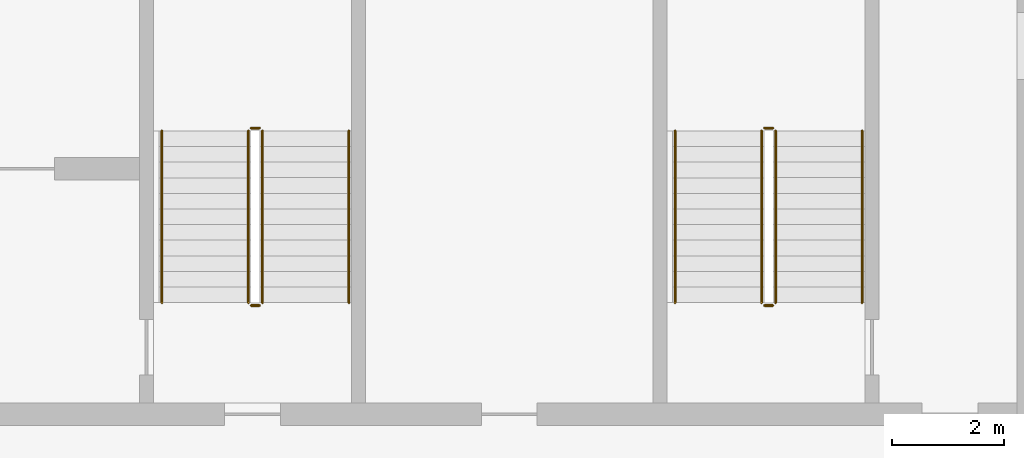
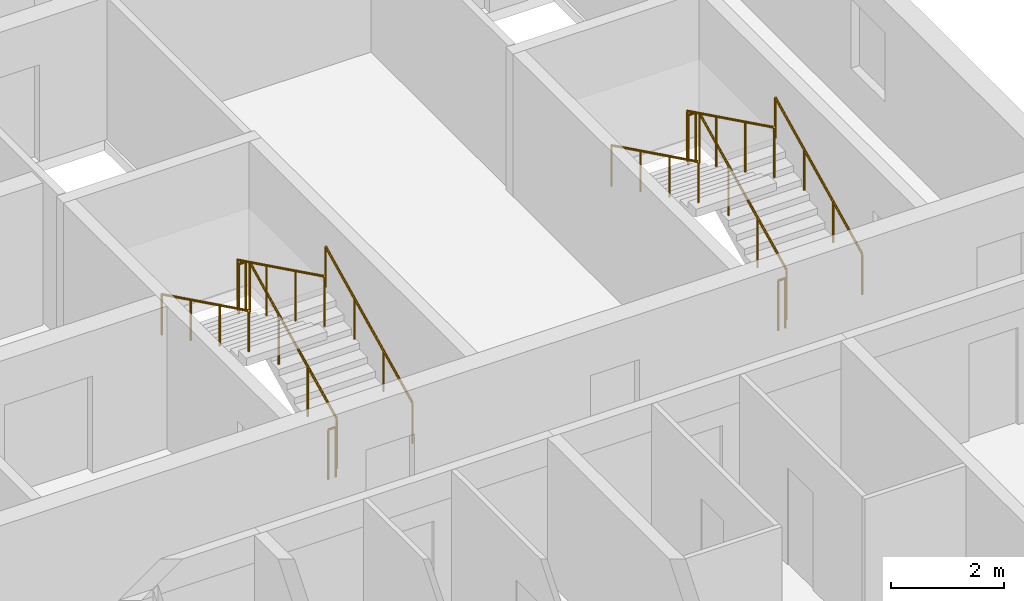
# One storey, part 14 of 26: 12 railings.
"""IFC4 building model written with IfcOpenShell, lengths in metres."""

from ifc_helpers import new_model, si_unit, direction, frame, origin, origin_2d, place, context, subcontext, project, spatial, circle, extrude, material, type_object, element, save


model = new_model("IFC4")

# Units and contexts
model_context = context("Model", 3, precision=1e-05, world=origin(), true_north=direction((0.0, 1.0)))
body_context = subcontext(model_context, "Body", "Model", "MODEL_VIEW")
ifc_project = project(units=[si_unit("LENGTHUNIT", "METRE"), si_unit("AREAUNIT", "SQUARE_METRE"), si_unit("VOLUMEUNIT", "CUBIC_METRE"), si_unit("PLANEANGLEUNIT", "RADIAN"), si_unit("MASSUNIT", "GRAM", prefix="KILO")], contexts=[model_context])

# Site, building, storey
site_placement = place(None, origin())
site = spatial("IfcSite", under=ifc_project, at=site_placement, CompositionType="ELEMENT")
building_placement = place(site_placement, origin())
building = spatial("IfcBuilding", under=site, at=building_placement, Name="Poui Terraces", CompositionType="ELEMENT")
storey_placement = place(building_placement, frame((0.0, 0.0, 178.5)))
storey = spatial("IfcBuildingStorey", under=building, at=storey_placement, Name="L49", CompositionType="ELEMENT", Elevation=178.5)

# Railings
ifc_material_1 = material(Name="Galvanised steel balustrade", Category="steel")
railing_type_1 = type_object("IfcRailingType", Name="STAIR GUARD 1100", PredefinedType="GUARDRAIL", material=ifc_material_1)
railing_1_placement = place(storey_placement, frame((70.27490234375, 16.60009765625, 0.137451171875)))
element("IfcRailing", 1, at=railing_1_placement, inside=storey, type_object=railing_type_1, Name="L49 ST-CE stair guard 1", PredefinedType="GUARDRAIL", context=body_context, shape_type="SweptSolid", body=[
    extrude(circle(Radius=0.02392578125, at=origin_2d()), frame((0.0, 0.0, 1.076171875), z_axis=(0.0, 0.897606190399, 0.440798283751), x_axis=(-1.0, 0.0, 0.0)), (0.0, 0.0, 1.0), 3.43115234375),
    extrude(circle(Radius=0.02099609375, at=origin_2d()), origin(), (0.0, 0.0, 1.0), 1.052001953125),
    extrude(circle(Radius=0.02099609375, at=origin_2d()), frame((0.0, 1.026611328125, 0.504150390625)), (0.0, 0.0, 1.0), 1.052001953125),
    extrude(circle(Radius=0.02099609375, at=origin_2d()), frame((0.0, 2.05322265625, 1.00830078125)), (0.0, 0.0, 1.0), 1.052001953125),
    extrude(circle(Radius=0.02099609375, at=origin_2d()), frame((0.0, 3.079833984375, 1.512451171875)), (0.0, 0.0, 1.0), 1.052001953125),
])
railing_2_placement = place(storey_placement, frame((70.22509765625, 19.72998046875, 1.64990234375)))
element("IfcRailing", 2, at=railing_2_placement, inside=storey, type_object=railing_type_1, Name="L49 ST-CE stair guard 2", PredefinedType="GUARDRAIL", context=body_context, shape_type="SweptSolid", body=[
    extrude(circle(Radius=0.02392578125, at=origin_2d()), frame((0.0, 0.0, 1.076171875), z_axis=(-1.0, 0.0, 0.0), x_axis=(0.0, -1.0, 0.0)), (0.0, 0.0, 1.0), 0.150146484375),
    extrude(circle(Radius=0.02099609375, at=origin_2d()), origin(), (0.0, 0.0, 1.0), 1.052001953125),
    extrude(circle(Radius=0.02099609375, at=origin_2d()), frame((-0.150146484375, 0.0, 0.0)), (0.0, 0.0, 1.0), 1.052001953125),
])
railing_3_placement = place(storey_placement, frame((70.02490234375, 19.679931640625, 1.78759765625)))
element("IfcRailing", 3, at=railing_3_placement, inside=storey, type_object=railing_type_1, Name="L49 ST-CE stair guard 3", PredefinedType="GUARDRAIL", context=body_context, shape_type="SweptSolid", body=[
    extrude(circle(Radius=0.02392578125, at=origin_2d()), frame((0.0, 0.0, 1.076171875), z_axis=(0.0, -0.897606190399, 0.440798283751), x_axis=(1.0, 0.0, 0.0)), (0.0, 0.0, 1.0), 3.43115234375),
    extrude(circle(Radius=0.02099609375, at=origin_2d()), origin(), (0.0, 0.0, 1.0), 1.052001953125),
    extrude(circle(Radius=0.02099609375, at=origin_2d()), frame((0.0, -1.026611328125, 0.504150390625)), (0.0, 0.0, 1.0), 1.052001953125),
    extrude(circle(Radius=0.02099609375, at=origin_2d()), frame((0.0, -2.05322265625, 1.00830078125)), (0.0, 0.0, 1.0), 1.052001953125),
    extrude(circle(Radius=0.02099609375, at=origin_2d()), frame((0.0, -3.079833984375, 1.512451171875)), (0.0, 0.0, 1.0), 1.052001953125),
])
railing_4_placement = place(storey_placement, frame((70.22509765625, 16.550048828125, 0.0)))
element("IfcRailing", 4, at=railing_4_placement, inside=storey, type_object=railing_type_1, Name="L49 ST-CE stair guard 4", PredefinedType="GUARDRAIL", context=body_context, shape_type="SweptSolid", body=[
    extrude(circle(Radius=0.02392578125, at=origin_2d()), frame((0.0, 0.0, 1.076171875), z_axis=(-1.0, 0.0, 0.0), x_axis=(0.0, -1.0, 0.0)), (0.0, 0.0, 1.0), 0.150146484375),
    extrude(circle(Radius=0.02099609375, at=origin_2d()), origin(), (0.0, 0.0, 1.0), 1.052001953125),
    extrude(circle(Radius=0.02099609375, at=origin_2d()), frame((-0.150146484375, 0.0, 0.0)), (0.0, 0.0, 1.0), 1.052001953125),
])
railing_5_placement = place(storey_placement, frame((79.47509765625, 16.60009765625, 0.137451171875)))
element("IfcRailing", 5, at=railing_5_placement, inside=storey, type_object=railing_type_1, Name="L49 ST-E stair guard 1", PredefinedType="GUARDRAIL", context=body_context, shape_type="SweptSolid", body=[
    extrude(circle(Radius=0.02392578125, at=origin_2d()), frame((0.0, 0.0, 1.076171875), z_axis=(0.0, 0.897606190399, 0.440798283751), x_axis=(-1.0, 0.0, 0.0)), (0.0, 0.0, 1.0), 3.43115234375),
    extrude(circle(Radius=0.02099609375, at=origin_2d()), origin(), (0.0, 0.0, 1.0), 1.052001953125),
    extrude(circle(Radius=0.02099609375, at=origin_2d()), frame((0.0, 1.026611328125, 0.504150390625)), (0.0, 0.0, 1.0), 1.052001953125),
    extrude(circle(Radius=0.02099609375, at=origin_2d()), frame((0.0, 2.05322265625, 1.00830078125)), (0.0, 0.0, 1.0), 1.052001953125),
    extrude(circle(Radius=0.02099609375, at=origin_2d()), frame((0.0, 3.079833984375, 1.512451171875)), (0.0, 0.0, 1.0), 1.052001953125),
])
railing_6_placement = place(storey_placement, frame((79.425048828125, 19.72998046875, 1.64990234375)))
element("IfcRailing", 6, at=railing_6_placement, inside=storey, type_object=railing_type_1, Name="L49 ST-E stair guard 2", PredefinedType="GUARDRAIL", context=body_context, shape_type="SweptSolid", body=[
    extrude(circle(Radius=0.02392578125, at=origin_2d()), frame((0.0, 0.0, 1.076171875), z_axis=(-1.0, 0.0, 0.0), x_axis=(0.0, -1.0, 0.0)), (0.0, 0.0, 1.0), 0.150146484375),
    extrude(circle(Radius=0.02099609375, at=origin_2d()), origin(), (0.0, 0.0, 1.0), 1.052001953125),
    extrude(circle(Radius=0.02099609375, at=origin_2d()), frame((-0.150146484375, 0.0, 0.0)), (0.0, 0.0, 1.0), 1.052001953125),
])
railing_7_placement = place(storey_placement, frame((79.22509765625, 19.679931640625, 1.78759765625)))
element("IfcRailing", 7, at=railing_7_placement, inside=storey, type_object=railing_type_1, Name="L49 ST-E stair guard 3", PredefinedType="GUARDRAIL", context=body_context, shape_type="SweptSolid", body=[
    extrude(circle(Radius=0.02392578125, at=origin_2d()), frame((0.0, 0.0, 1.076171875), z_axis=(0.0, -0.897606190399, 0.440798283751), x_axis=(1.0, 0.0, 0.0)), (0.0, 0.0, 1.0), 3.43115234375),
    extrude(circle(Radius=0.02099609375, at=origin_2d()), origin(), (0.0, 0.0, 1.0), 1.052001953125),
    extrude(circle(Radius=0.02099609375, at=origin_2d()), frame((0.0, -1.026611328125, 0.504150390625)), (0.0, 0.0, 1.0), 1.052001953125),
    extrude(circle(Radius=0.02099609375, at=origin_2d()), frame((0.0, -2.05322265625, 1.00830078125)), (0.0, 0.0, 1.0), 1.052001953125),
    extrude(circle(Radius=0.02099609375, at=origin_2d()), frame((0.0, -3.079833984375, 1.512451171875)), (0.0, 0.0, 1.0), 1.052001953125),
])
railing_8_placement = place(storey_placement, frame((79.425048828125, 16.550048828125, 0.0)))
element("IfcRailing", 8, at=railing_8_placement, inside=storey, type_object=railing_type_1, Name="L49 ST-E stair guard 4", PredefinedType="GUARDRAIL", context=body_context, shape_type="SweptSolid", body=[
    extrude(circle(Radius=0.02392578125, at=origin_2d()), frame((0.0, 0.0, 1.076171875), z_axis=(-1.0, 0.0, 0.0), x_axis=(0.0, -1.0, 0.0)), (0.0, 0.0, 1.0), 0.150146484375),
    extrude(circle(Radius=0.02099609375, at=origin_2d()), origin(), (0.0, 0.0, 1.0), 1.052001953125),
    extrude(circle(Radius=0.02099609375, at=origin_2d()), frame((-0.150146484375, 0.0, 0.0)), (0.0, 0.0, 1.0), 1.052001953125),
])
ifc_material_2 = material(Name="Stainless steel handrail", Category="steel")
railing_type_2 = type_object("IfcRailingType", Name="STAIR HANDRAIL 900", PredefinedType="HANDRAIL", material=ifc_material_2)
railing_9_placement = place(storey_placement, frame((71.824951171875, 16.60009765625, 0.137451171875)))
element("IfcRailing", 9, at=railing_9_placement, inside=storey, type_object=railing_type_2, Name="L49 ST-CE stair handrail 1", PredefinedType="HANDRAIL", context=body_context, shape_type="SweptSolid", body=[
    extrude(circle(Radius=0.02392578125, at=origin_2d()), frame((0.0, 0.0, 0.8759765625), z_axis=(0.0, 0.897606190399, 0.440798283751), x_axis=(-1.0, 0.0, 0.0)), (0.0, 0.0, 1.0), 3.43115234375),
    extrude(circle(Radius=0.02099609375, at=origin_2d()), origin(), (0.0, 0.0, 1.0), 0.851806640625),
    extrude(circle(Radius=0.02099609375, at=origin_2d()), frame((0.0, 1.026611328125, 0.504150390625)), (0.0, 0.0, 1.0), 0.851806640625),
    extrude(circle(Radius=0.02099609375, at=origin_2d()), frame((0.0, 2.05322265625, 1.00830078125)), (0.0, 0.0, 1.0), 0.851806640625),
    extrude(circle(Radius=0.02099609375, at=origin_2d()), frame((0.0, 3.079833984375, 1.512451171875)), (0.0, 0.0, 1.0), 0.851806640625),
])
railing_10_placement = place(storey_placement, frame((68.47509765625, 19.679931640625, 1.78759765625)))
element("IfcRailing", 10, at=railing_10_placement, inside=storey, type_object=railing_type_2, Name="L49 ST-CE stair handrail 2", PredefinedType="HANDRAIL", context=body_context, shape_type="SweptSolid", body=[
    extrude(circle(Radius=0.02392578125, at=origin_2d()), frame((0.0, 0.0, 0.8759765625), z_axis=(0.0, -0.897606190399, 0.440798283751), x_axis=(1.0, 0.0, 0.0)), (0.0, 0.0, 1.0), 3.43115234375),
    extrude(circle(Radius=0.02099609375, at=origin_2d()), origin(), (0.0, 0.0, 1.0), 0.851806640625),
    extrude(circle(Radius=0.02099609375, at=origin_2d()), frame((0.0, -1.026611328125, 0.504150390625)), (0.0, 0.0, 1.0), 0.851806640625),
    extrude(circle(Radius=0.02099609375, at=origin_2d()), frame((0.0, -2.05322265625, 1.00830078125)), (0.0, 0.0, 1.0), 0.851806640625),
    extrude(circle(Radius=0.02099609375, at=origin_2d()), frame((0.0, -3.079833984375, 1.512451171875)), (0.0, 0.0, 1.0), 0.851806640625),
])
railing_11_placement = place(storey_placement, frame((81.02490234375, 16.60009765625, 0.137451171875)))
element("IfcRailing", 11, at=railing_11_placement, inside=storey, type_object=railing_type_2, Name="L49 ST-E stair handrail 1", PredefinedType="HANDRAIL", context=body_context, shape_type="SweptSolid", body=[
    extrude(circle(Radius=0.02392578125, at=origin_2d()), frame((0.0, 0.0, 0.8759765625), z_axis=(0.0, 0.897606190399, 0.440798283751), x_axis=(-1.0, 0.0, 0.0)), (0.0, 0.0, 1.0), 3.43115234375),
    extrude(circle(Radius=0.02099609375, at=origin_2d()), origin(), (0.0, 0.0, 1.0), 0.851806640625),
    extrude(circle(Radius=0.02099609375, at=origin_2d()), frame((0.0, 1.026611328125, 0.504150390625)), (0.0, 0.0, 1.0), 0.851806640625),
    extrude(circle(Radius=0.02099609375, at=origin_2d()), frame((0.0, 2.05322265625, 1.00830078125)), (0.0, 0.0, 1.0), 0.851806640625),
    extrude(circle(Radius=0.02099609375, at=origin_2d()), frame((0.0, 3.079833984375, 1.512451171875)), (0.0, 0.0, 1.0), 0.851806640625),
])
railing_12_placement = place(storey_placement, frame((77.675048828125, 19.679931640625, 1.78759765625)))
element("IfcRailing", 12, at=railing_12_placement, inside=storey, type_object=railing_type_2, Name="L49 ST-E stair handrail 2", PredefinedType="HANDRAIL", context=body_context, shape_type="SweptSolid", body=[
    extrude(circle(Radius=0.02392578125, at=origin_2d()), frame((0.0, 0.0, 0.8759765625), z_axis=(0.0, -0.897606190399, 0.440798283751), x_axis=(1.0, 0.0, 0.0)), (0.0, 0.0, 1.0), 3.43115234375),
    extrude(circle(Radius=0.02099609375, at=origin_2d()), origin(), (0.0, 0.0, 1.0), 0.851806640625),
    extrude(circle(Radius=0.02099609375, at=origin_2d()), frame((0.0, -1.026611328125, 0.504150390625)), (0.0, 0.0, 1.0), 0.851806640625),
    extrude(circle(Radius=0.02099609375, at=origin_2d()), frame((0.0, -2.05322265625, 1.00830078125)), (0.0, 0.0, 1.0), 0.851806640625),
    extrude(circle(Radius=0.02099609375, at=origin_2d()), frame((0.0, -3.079833984375, 1.512451171875)), (0.0, 0.0, 1.0), 0.851806640625),
])

save(model, "model.ifc")
